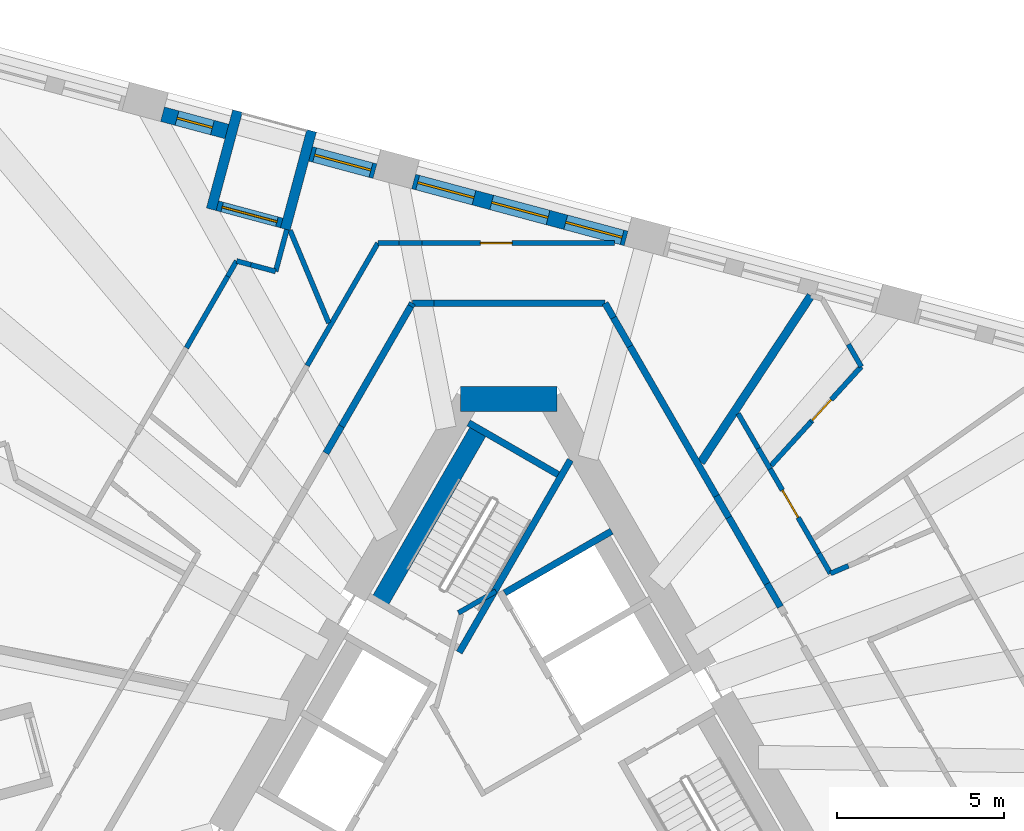
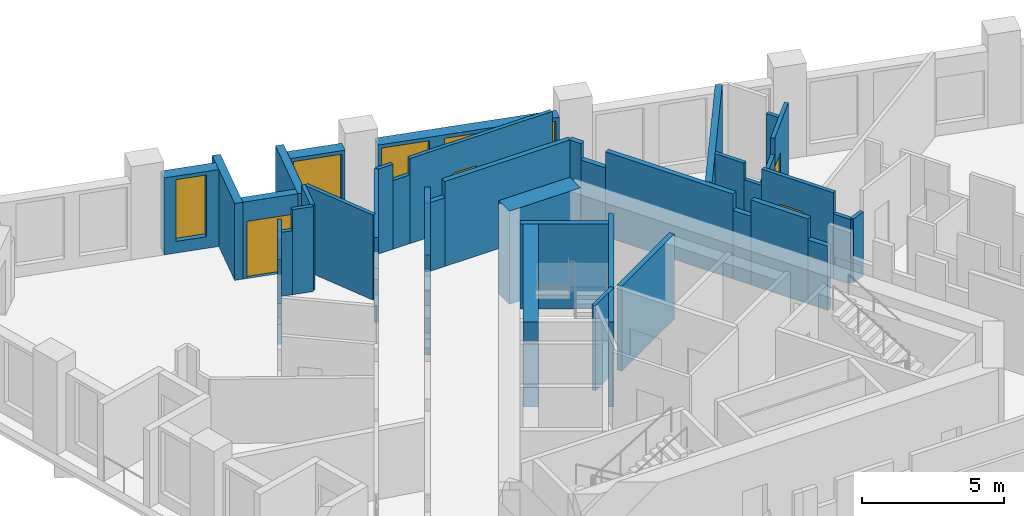
# One storey, part 7 of 13: 42 walls, 5 windows, 4 doors, 9 openings.
"""IFC4 building model written with IfcOpenShell, lengths in metres."""

from ifc_helpers import new_model, si_unit, direction, frame, frame_2d, origin, place, context, subcontext, project, spatial, rectangle, extrude, material, layer, layer_set, type_object, element, fill, save


model = new_model("IFC4")

# Units and contexts
model_context = context("Model", 3, precision=1e-05, world=origin(), true_north=direction((0.0, 1.0)))
body_context = subcontext(model_context, "Body", "Model", "MODEL_VIEW")
ifc_project = project(units=[si_unit("LENGTHUNIT", "METRE"), si_unit("AREAUNIT", "SQUARE_METRE"), si_unit("VOLUMEUNIT", "CUBIC_METRE"), si_unit("PLANEANGLEUNIT", "RADIAN"), si_unit("MASSUNIT", "GRAM", prefix="KILO")], contexts=[model_context])

# Site, building, storey
site_placement = place(None, origin())
site = spatial("IfcSite", under=ifc_project, at=site_placement, CompositionType="ELEMENT")
building_placement = place(site_placement, origin())
building = spatial("IfcBuilding", under=site, at=building_placement, Name="Tramontana Tower", CompositionType="ELEMENT")
storey_placement = place(building_placement, frame((0.0, 0.0, 228.0)))
storey = spatial("IfcBuildingStorey", under=building, at=storey_placement, Name="L53", CompositionType="ELEMENT", Elevation=228.0)

# Walls
ifc_material_1 = material(Name="Concrete 70 MPa", Category="concrete")
ifc_layer_1 = layer(ifc_material_1, 0.75)
ifc_layer_set_1 = layer_set([ifc_layer_1], Name="Core wall 750 70 MPa")
wall_type_1 = type_object("IfcWallType", Name="Core wall 750 70 MPa", PredefinedType="SHEAR", material=ifc_layer_set_1)
wall_1_placement = place(storey_placement, frame((1.443359375, 10.625, 0.0), z_axis=(0.0, 0.0, 1.0), x_axis=(-1.0, 0.0, 0.0)))
element("IfcWall", 1, at=wall_1_placement, inside=storey, type_object=wall_type_1, Name="Core wall C0 L53", PredefinedType="SHEAR", context=body_context, shape_type="SweptSolid", body=[
    extrude(rectangle(XDim=2.88671875, YDim=0.75, at=frame_2d((1.443359375, 0.0))), origin(), (0.0, 0.0, 1.0), 4.0),
])
ifc_material_2 = material(Name="Blockwork", Category="masonry")
ifc_layer_2 = layer(ifc_material_2, 0.199951171875)
ifc_layer_set_2 = layer_set([ifc_layer_2], Name="ENTRY WALL 200")
wall_type_2 = type_object("IfcWallType", Name="ENTRY WALL 200", PredefinedType="SOLIDWALL", material=ifc_layer_set_2)
wall_2_placement = place(storey_placement, frame((2.88671875, 13.5, 0.0), z_axis=(0.0, 0.0, 1.0), x_axis=(0.500002592159, -0.866023907196, 0.0)))
element("IfcWall", 2, at=wall_2_placement, inside=storey, type_object=wall_type_2, Name="Wall v52-ew0-0", PredefinedType="SOLIDWALL", context=body_context, shape_type="SweptSolid", body=[
    extrude(rectangle(XDim=0.5029296875, YDim=0.199951171875, at=frame_2d((0.25146484375, 0.0))), origin(), (0.0, 0.0, 1.0), 3.64990234375),
])
wall_3_placement = place(storey_placement, frame((3.13818359375, 13.064453125, 0.0), z_axis=(0.0, 0.0, 1.0), x_axis=(0.500063959222, -0.865988473761, 0.0)))
element("IfcWall", 3, at=wall_3_placement, inside=storey, type_object=wall_type_2, Name="Wall v52-ew0-1", PredefinedType="SOLIDWALL", context=body_context, shape_type="SweptSolid", body=[
    extrude(rectangle(XDim=0.989990234375, YDim=0.199951171875, at=frame_2d((0.4951171875, 0.0))), origin(), (0.0, 0.0, 1.0), 2.949951171875),
])
wall_4_placement = place(storey_placement, frame((3.63330078125, 12.20703125, 0.0), z_axis=(0.0, 0.0, 1.0), x_axis=(0.499990271856, -0.866031020258, 0.0)))
element("IfcWall", 4, at=wall_4_placement, inside=storey, type_object=wall_type_2, Name="Wall v52-ew0-2", PredefinedType="SOLIDWALL", context=body_context, shape_type="SweptSolid", body=[
    extrude(rectangle(XDim=5.181640625, YDim=0.199951171875, at=frame_2d((2.5908203125, 0.0))), origin(), (0.0, 0.0, 1.0), 3.64990234375),
])
wall_5_placement = place(storey_placement, frame((6.22412109375, 7.719482421875, 0.0), z_axis=(0.0, 0.0, 1.0), x_axis=(0.499931655587, -0.866064858854, 0.0)))
element("IfcWall", 5, at=wall_5_placement, inside=storey, type_object=wall_type_2, Name="Wall v52-ew0-3", PredefinedType="SOLIDWALL", context=body_context, shape_type="SweptSolid", body=[
    extrude(rectangle(XDim=0.74072265625, YDim=0.199951171875, at=frame_2d((0.370361328125, 0.0))), origin(), (0.0, 0.0, 1.0), 2.949951171875),
])
wall_6_placement = place(storey_placement, frame((6.594482421875, 7.077880859375, 0.0), z_axis=(0.0, 0.0, 1.0), x_axis=(0.500013761451, -0.866017458461, 0.0)))
element("IfcWall", 6, at=wall_6_placement, inside=storey, type_object=wall_type_2, Name="Wall v52-ew0-4", PredefinedType="SOLIDWALL", context=body_context, shape_type="SweptSolid", body=[
    extrude(rectangle(XDim=2.29736328125, YDim=0.199951171875, at=frame_2d((1.148681640625, 0.0))), origin(), (0.0, 0.0, 1.0), 3.64990234375),
])
wall_7_placement = place(storey_placement, frame((7.7431640625, 5.08837890625, 0.0), z_axis=(0.0, 0.0, 1.0), x_axis=(0.500109828528, -0.865961984968, 0.0)))
element("IfcWall", 7, at=wall_7_placement, inside=storey, type_object=wall_type_2, Name="Wall v52-ew0-5", PredefinedType="SOLIDWALL", context=body_context, shape_type="SweptSolid", body=[
    extrude(rectangle(XDim=0.800048828125, YDim=0.199951171875, at=frame_2d((0.39990234375, 0.0))), origin(), (0.0, 0.0, 1.0), 2.75),
])
wall_8_placement = place(storey_placement, frame((-5.482666015625, 9.003662109375, 0.0), z_axis=(0.0, 0.0, 1.0), x_axis=(0.499971966783, 0.866041588165, 0.0)))
element("IfcWall", 8, at=wall_8_placement, inside=storey, type_object=wall_type_2, Name="Wall v52-ew4-11", PredefinedType="SOLIDWALL", context=body_context, shape_type="SweptSolid", body=[
    extrude(rectangle(XDim=0.931640625, YDim=0.199951171875, at=frame_2d((0.4658203125, 0.0))), origin(), (0.0, 0.0, 1.0), 2.75),
])
wall_9_placement = place(storey_placement, frame((-5.016845703125, 9.810546875, 0.0), z_axis=(0.0, 0.0, 1.0), x_axis=(0.499993700073, 0.866029041019, 0.0)))
element("IfcWall", 9, at=wall_9_placement, inside=storey, type_object=wall_type_2, Name="Wall v52-ew4-12", PredefinedType="SOLIDWALL", context=body_context, shape_type="SweptSolid", body=[
    extrude(rectangle(XDim=4.1552734375, YDim=0.199951171875, at=frame_2d((2.07763671875, 0.0))), origin(), (0.0, 0.0, 1.0), 3.64990234375),
])
wall_10_placement = place(storey_placement, frame((-2.939208984375, 13.4091796875, 0.0), z_axis=(0.0, 0.0, 1.0), x_axis=(0.500393920955, 0.865797853931, 0.0)))
element("IfcWall", 10, at=wall_10_placement, inside=storey, type_object=wall_type_2, Name="Wall v52-ew4-13", PredefinedType="SOLIDWALL", context=body_context, shape_type="SweptSolid", body=[
    extrude(rectangle(XDim=0.10498046875, YDim=0.199951171875, at=frame_2d((0.052490234375, 0.0))), origin(), (0.0, 0.0, 1.0), 2.949951171875),
])
wall_11_placement = place(storey_placement, frame((-2.88671875, 13.5, 0.0), z_axis=(0.0, 0.0, 1.0), x_axis=(1.0, 0.0, 0.0)))
element("IfcWall", 11, at=wall_11_placement, inside=storey, type_object=wall_type_2, Name="Wall v52-ew5-0", PredefinedType="SOLIDWALL", context=body_context, shape_type="SweptSolid", body=[
    extrude(rectangle(XDim=0.642822265625, YDim=0.199951171875, at=frame_2d((0.3212890625, 0.0))), origin(), (0.0, 0.0, 1.0), 2.949951171875),
])
wall_12_placement = place(storey_placement, frame((-2.243896484375, 13.5, 0.0), z_axis=(0.0, 0.0, 1.0), x_axis=(1.0, 0.0, 0.0)))
element("IfcWall", 12, at=wall_12_placement, inside=storey, type_object=wall_type_2, Name="Wall v52-ew5-1", PredefinedType="SOLIDWALL", context=body_context, shape_type="SweptSolid", body=[
    extrude(rectangle(XDim=5.130615234375, YDim=0.199951171875, at=frame_2d((2.5654296875, 0.0))), origin(), (0.0, 0.0, 1.0), 3.64990234375),
])

# Wall, openings, windows
ifc_material_3 = material(Name="Precast concrete 60 MPa", Category="concrete")
ifc_layer_3 = layer(ifc_material_3, 0.449951171875)
ifc_layer_set_3 = layer_set([ifc_layer_3], Name="Precast concrete 60 MPa, 450 mm")
wall_type_3 = type_object("IfcWallType", Name="EW1 Stone-faced precast wall 450", PredefinedType="SOLIDWALL", material=ifc_layer_set_3)
wall_13_placement = place(storey_placement, frame((3.516357421875, 15.441162109375, 0.0), z_axis=(0.0, 0.0, 1.0), x_axis=(-0.965933178973, 0.258791602952, 0.0)))
wall_13 = element("IfcWall", 13, at=wall_13_placement, inside=storey, type_object=wall_type_3, Name="External wall L53 face 2 bay 4", PredefinedType="SOLIDWALL", context=body_context, shape_type="SweptSolid", body=[
    extrude(rectangle(XDim=6.59423828125, YDim=0.449951171875, at=frame_2d((3.297119140625, 0.0))), origin(), (0.0, 0.0, 1.0), 3.300048828125),
])
opening_1_placement = place(wall_13_placement, frame((0.1240234375, 0.0, 0.5)))
opening_1 = element("IfcOpeningElement", 14, at=opening_1_placement, cuts=wall_13, Name="Opening M2", PredefinedType="OPENING", context=body_context, shape_type="SweptSolid", body=[
    extrude(rectangle(XDim=1.75, YDim=2.64990234375, at=frame_2d((0.875, 1.324951171875))), frame((0.0, 0.23486328125, 0.0), z_axis=(0.0, -1.0, 0.0), x_axis=(1.0, 0.0, 0.0)), (0.0, 0.0, 1.0), 0.469970703125),
])
opening_2_placement = place(wall_13_placement, frame((2.422119140625, 0.0, 0.5)))
opening_2 = element("IfcOpeningElement", 15, at=opening_2_placement, cuts=wall_13, Name="Opening M2", PredefinedType="OPENING", context=body_context, shape_type="SweptSolid", body=[
    extrude(rectangle(XDim=1.75, YDim=2.64990234375, at=frame_2d((0.875, 1.324951171875))), frame((0.0, 0.23486328125, 0.0), z_axis=(0.0, -1.0, 0.0), x_axis=(1.0, 0.0, 0.0)), (0.0, 0.0, 1.0), 0.469970703125),
])
opening_3_placement = place(wall_13_placement, frame((4.72021484375, 0.0, 0.5)))
opening_3 = element("IfcOpeningElement", 16, at=opening_3_placement, cuts=wall_13, Name="Opening M2", PredefinedType="OPENING", context=body_context, shape_type="SweptSolid", body=[
    extrude(rectangle(XDim=1.75, YDim=2.64990234375, at=frame_2d((0.875, 1.324951171875))), frame((0.0, 0.23486328125, 0.0), z_axis=(0.0, -1.0, 0.0), x_axis=(1.0, 0.0, 0.0)), (0.0, 0.0, 1.0), 0.469970703125),
])
ifc_material_4 = material(Name="Aluminum frame, double glazing unit", Category="aluminium")
window_type_1 = type_object("IfcWindowType", Name="M2 Window 1.75 x 2.65", PartitioningType="SINGLE_PANEL", PredefinedType="WINDOW", material=ifc_material_4)
window_1_placement = place(opening_1_placement, origin())
window_1 = element("IfcWindow", 17, at=window_1_placement, inside=storey, type_object=window_type_1, Name="Window M2 L53 face 2 module 10", OverallHeight=2.64990234375, OverallWidth=1.75, PartitioningType="SINGLE_PANEL", PredefinedType="WINDOW", context=body_context, shape_type="SweptSolid", body=[
    extrude(rectangle(XDim=1.75, YDim=2.64990234375, at=frame_2d((0.875, 1.324951171875))), frame((0.0, 0.030029296875, 0.0), z_axis=(0.0, -1.0, 0.0), x_axis=(1.0, 0.0, 0.0)), (0.0, 0.0, 1.0), 0.06005859375),
])
fill(opening_1, window_1)
window_2_placement = place(opening_2_placement, origin())
window_2 = element("IfcWindow", 18, at=window_2_placement, inside=storey, type_object=window_type_1, Name="Window M2 L53 face 2 module 11", OverallHeight=2.64990234375, OverallWidth=1.75, PartitioningType="SINGLE_PANEL", PredefinedType="WINDOW", context=body_context, shape_type="SweptSolid", body=[
    extrude(rectangle(XDim=1.75, YDim=2.64990234375, at=frame_2d((0.875, 1.324951171875))), frame((0.0, 0.030029296875, 0.0), z_axis=(0.0, -1.0, 0.0), x_axis=(1.0, 0.0, 0.0)), (0.0, 0.0, 1.0), 0.06005859375),
])
fill(opening_2, window_2)
window_3_placement = place(opening_3_placement, origin())
window_3 = element("IfcWindow", 19, at=window_3_placement, inside=storey, type_object=window_type_1, Name="Window M2 L53 face 2 module 12", OverallHeight=2.64990234375, OverallWidth=1.75, PartitioningType="SINGLE_PANEL", PredefinedType="WINDOW", context=body_context, shape_type="SweptSolid", body=[
    extrude(rectangle(XDim=1.75, YDim=2.64990234375, at=frame_2d((0.875, 1.324951171875))), frame((0.0, 0.030029296875, 0.0), z_axis=(0.0, -1.0, 0.0), x_axis=(1.0, 0.0, 0.0)), (0.0, 0.0, 1.0), 0.06005859375),
])
fill(opening_3, window_3)

# Wall, opening, window
wall_14_placement = place(storey_placement, frame((-4.012451171875, 17.458251953125, 0.0), z_axis=(0.0, 0.0, 1.0), x_axis=(-0.965899500874, 0.25891727291, 0.0)))
wall_14 = element("IfcWall", 20, at=wall_14_placement, inside=storey, type_object=wall_type_3, Name="External wall L53 face 2 bay 5", PredefinedType="SOLIDWALL", context=body_context, shape_type="SweptSolid", body=[
    extrude(rectangle(XDim=1.998046875, YDim=0.449951171875, at=frame_2d((0.9990234375, 0.0))), origin(), (0.0, 0.0, 1.0), 3.300048828125),
])
opening_4_placement = place(wall_14_placement, frame((0.1240234375, 0.0, 0.5)))
opening_4 = element("IfcOpeningElement", 21, at=opening_4_placement, cuts=wall_14, Name="Opening M2", PredefinedType="OPENING", context=body_context, shape_type="SweptSolid", body=[
    extrude(rectangle(XDim=1.75, YDim=2.64990234375, at=frame_2d((0.875, 1.324951171875))), frame((0.0, 0.23486328125, 0.0), z_axis=(0.0, -1.0, 0.0), x_axis=(1.0, 0.0, 0.0)), (0.0, 0.0, 1.0), 0.469970703125),
])
window_4_placement = place(opening_4_placement, origin())
window_4 = element("IfcWindow", 22, at=window_4_placement, inside=storey, type_object=window_type_1, Name="Window M2 L53 face 2 module 13", OverallHeight=2.64990234375, OverallWidth=1.75, PartitioningType="SINGLE_PANEL", PredefinedType="WINDOW", context=body_context, shape_type="SweptSolid", body=[
    extrude(rectangle(XDim=1.75, YDim=2.64990234375, at=frame_2d((0.875, 1.324951171875))), frame((0.0, 0.030029296875, 0.0), z_axis=(0.0, -1.0, 0.0), x_axis=(1.0, 0.0, 0.0)), (0.0, 0.0, 1.0), 0.06005859375),
])
fill(opening_4, window_4)

wall_15_placement = place(storey_placement, frame((-8.451904296875, 18.64794921875, 0.0), z_axis=(0.0, 0.0, 1.0), x_axis=(-0.96593005298, 0.258803270362, 0.0)))
wall_15 = element("IfcWall", 23, at=wall_15_placement, inside=storey, type_object=wall_type_3, Name="External wall L53 face 2 bay 5", PredefinedType="SOLIDWALL", context=body_context, shape_type="SweptSolid", body=[
    extrude(rectangle(XDim=1.998046875, YDim=0.449951171875, at=frame_2d((0.9990234375, 0.0))), origin(), (0.0, 0.0, 1.0), 3.300048828125),
])
opening_5_placement = place(wall_15_placement, frame((0.448974609375, 0.0, 0.5)))
opening_5 = element("IfcOpeningElement", 24, at=opening_5_placement, cuts=wall_15, Name="Opening N2", PredefinedType="OPENING", context=body_context, shape_type="SweptSolid", body=[
    extrude(rectangle(XDim=1.10009765625, YDim=2.64990234375, at=frame_2d((0.550048828125, 1.324951171875))), frame((0.0, 0.23486328125, 0.0), z_axis=(0.0, -1.0, 0.0), x_axis=(1.0, 0.0, 0.0)), (0.0, 0.0, 1.0), 0.469970703125),
])
ifc_material_5 = material(Name="Aluminum frame, double glazing unit", Category="aluminium")
window_type_2 = type_object("IfcWindowType", Name="N2 Window 1.1 x 2.65", PartitioningType="SINGLE_PANEL", PredefinedType="WINDOW", material=ifc_material_5)
window_5_placement = place(opening_5_placement, origin())
window_5 = element("IfcWindow", 25, at=window_5_placement, inside=storey, type_object=window_type_2, Name="Window N2 L53 face 2 module 15", OverallHeight=2.64990234375, OverallWidth=1.10009765625, PartitioningType="SINGLE_PANEL", PredefinedType="WINDOW", context=body_context, shape_type="SweptSolid", body=[
    extrude(rectangle(XDim=1.10009765625, YDim=2.64990234375, at=frame_2d((0.550048828125, 1.324951171875))), frame((0.0, 0.030029296875, 0.0), z_axis=(0.0, -1.0, 0.0), x_axis=(1.0, 0.0, 0.0)), (0.0, 0.0, 1.0), 0.06005859375),
])
fill(opening_5, window_5)

# Wall, opening, door
ifc_material_6 = material(Name="Precast concrete 60 MPa", Category="concrete")
ifc_layer_4 = layer(ifc_material_6, 0.300048828125)
ifc_layer_set_4 = layer_set([ifc_layer_4], Name="LW1 Stone-faced loggia wall 300")
wall_type_4 = type_object("IfcWallType", Name="LW1 Stone-faced loggia wall 300", PredefinedType="SOLIDWALL", material=ifc_layer_set_4)
wall_16_placement = place(storey_placement, frame((-6.80810546875, 15.904052734375, 0.0), z_axis=(0.0, 0.0, 1.0), x_axis=(-0.96593005298, 0.258803270362, 0.0)))
wall_16 = element("IfcWall", 26, at=wall_16_placement, inside=storey, type_object=wall_type_4, Name="Loggia wall L53 G5S2.13", PredefinedType="SOLIDWALL", context=body_context, shape_type="SweptSolid", body=[
    extrude(rectangle(XDim=1.998046875, YDim=0.300048828125, at=frame_2d((0.9990234375, 0.0))), origin(), (0.0, 0.0, 1.0), 3.300048828125),
])
opening_6_placement = place(wall_16_placement, frame((0.14892578125, 0.0, 0.0)))
opening_6 = element("IfcOpeningElement", 27, at=opening_6_placement, cuts=wall_16, Name="Opening BD-5S2-13", PredefinedType="OPENING", context=body_context, shape_type="SweptSolid", body=[
    extrude(rectangle(XDim=1.699951171875, YDim=2.449951171875, at=frame_2d((0.85009765625, 1.22509765625))), frame((0.0, 0.159912109375, 0.0), z_axis=(0.0, -1.0, 0.0), x_axis=(1.0, 0.0, 0.0)), (0.0, 0.0, 1.0), 0.320068359375),
])
ifc_material_7 = material(Name="Aluminum frame, double glazing unit", Category="aluminium")
door_type_1 = type_object("IfcDoorType", Name="BD2 Sliding door 1.7 x 2.45", OperationType="SLIDING_TO_LEFT", PredefinedType="DOOR", material=ifc_material_7)
door_1_placement = place(opening_6_placement, origin())
door_1 = element("IfcDoor", 28, at=door_1_placement, inside=storey, type_object=door_type_1, Name="Loggia door L53 G5S2.13", OperationType="SLIDING_TO_LEFT", OverallHeight=2.449951171875, OverallWidth=1.699951171875, PredefinedType="DOOR", context=body_context, shape_type="SweptSolid", body=[
    extrude(rectangle(XDim=1.699951171875, YDim=2.449951171875, at=frame_2d((0.85009765625, 1.22509765625))), frame((0.0, 0.02490234375, 0.0), z_axis=(0.0, -1.0, 0.0), x_axis=(1.0, 0.0, 0.0)), (0.0, 0.0, 1.0), 0.050048828125),
])
fill(opening_6, door_1)

# Walls
wall_17_placement = place(storey_placement, frame((-5.91259765625, 18.666259765625, 0.0), z_axis=(0.0, 0.0, 1.0), x_axis=(-0.258793435045, -0.965932688119, 0.0)))
element("IfcWall", 29, at=wall_17_placement, inside=storey, type_object=wall_type_4, Name="Loggia return L53 G5S2.13a", PredefinedType="SOLIDWALL", context=body_context, shape_type="SweptSolid", body=[
    extrude(rectangle(XDim=3.050048828125, YDim=0.300048828125, at=frame_2d((1.52490234375, 0.0))), origin(), (0.0, 0.0, 1.0), 3.300048828125),
])
wall_18_placement = place(storey_placement, frame((-8.13232421875, 19.26123046875, 0.0), z_axis=(0.0, 0.0, 1.0), x_axis=(-0.25877342651, -0.9659380486, 0.0)))
element("IfcWall", 30, at=wall_18_placement, inside=storey, type_object=wall_type_4, Name="Loggia return L53 G5S2.13b", PredefinedType="SOLIDWALL", context=body_context, shape_type="SweptSolid", body=[
    extrude(rectangle(XDim=3.05029296875, YDim=0.300048828125, at=frame_2d((1.525146484375, 0.0))), origin(), (0.0, 0.0, 1.0), 3.300048828125),
])
ifc_material_8 = material(Name="Gypsum board partition")
ifc_layer_5 = layer(ifc_material_8, 0.14990234375)
ifc_layer_set_5 = layer_set([ifc_layer_5], Name="PARTITION 150")
wall_type_5 = type_object("IfcWallType", Name="PARTITION 150", PredefinedType="PARTITIONING", material=ifc_layer_set_5)
wall_19_placement = place(storey_placement, frame((-1.509765625, 4.21484375, 0.0), z_axis=(0.0, 0.0, 1.0), x_axis=(0.866085525409, 0.49989585183, 0.0)))
element("IfcWall", 31, at=wall_19_placement, inside=storey, type_object=wall_type_5, Name="Wall ff-end1", PredefinedType="PARTITIONING", context=body_context, shape_type="SweptSolid", body=[
    extrude(rectangle(XDim=1.300048828125, YDim=0.14990234375, at=frame_2d((0.64990234375, 0.0))), origin(), (0.0, 0.0, 1.0), 3.64990234375),
])
wall_20_placement = place(storey_placement, frame((-9.664306640625, 12.16064453125, 0.0), z_axis=(0.0, 0.0, 1.0), x_axis=(0.499978546328, 0.866037789714, 0.0)))
element("IfcWall", 32, at=wall_20_placement, inside=storey, type_object=wall_type_5, Name="Wall v52-pw04-5", PredefinedType="PARTITIONING", context=body_context, shape_type="SweptSolid", body=[
    extrude(rectangle(XDim=2.4755859375, YDim=0.14990234375, at=frame_2d((1.23779296875, 0.0))), origin(), (0.0, 0.0, 1.0), 3.64990234375),
])
wall_21_placement = place(storey_placement, frame((-8.426513671875, 14.3046875, 0.0), z_axis=(0.0, 0.0, 1.0), x_axis=(0.499695946567, 0.866200877964, 0.0)))
element("IfcWall", 33, at=wall_21_placement, inside=storey, type_object=wall_type_5, Name="Wall v52-pw04-6", PredefinedType="PARTITIONING", context=body_context, shape_type="SweptSolid", body=[
    extrude(rectangle(XDim=0.531494140625, YDim=0.14990234375, at=frame_2d((0.265625, 0.0))), origin(), (0.0, 0.0, 1.0), 2.75),
])
wall_22_placement = place(storey_placement, frame((-8.16064453125, 14.76513671875, 0.0), z_axis=(0.0, 0.0, 1.0), x_axis=(0.965859623148, -0.259065992313, 0.0)))
element("IfcWall", 34, at=wall_22_placement, inside=storey, type_object=wall_type_5, Name="Wall v52-pw10-0", PredefinedType="PARTITIONING", context=body_context, shape_type="SweptSolid", body=[
    extrude(rectangle(XDim=0.44384765625, YDim=0.14990234375, at=frame_2d((0.221923828125, 0.0))), origin(), (0.0, 0.0, 1.0), 2.75),
])
wall_23_placement = place(storey_placement, frame((-7.73193359375, 14.650146484375, 0.0), z_axis=(0.0, 0.0, 1.0), x_axis=(0.965938094805, -0.258773254036, 0.0)))
element("IfcWall", 35, at=wall_23_placement, inside=storey, type_object=wall_type_5, Name="Wall v52-pw10-1", PredefinedType="PARTITIONING", context=body_context, shape_type="SweptSolid", body=[
    extrude(rectangle(XDim=0.76611328125, YDim=0.14990234375, at=frame_2d((0.383056640625, 0.0))), origin(), (0.0, 0.0, 1.0), 3.64990234375),
])
wall_24_placement = place(storey_placement, frame((-6.045654296875, 11.628662109375, 0.0), z_axis=(0.0, 0.0, 1.0), x_axis=(0.499991648869, 0.866030225258, 0.0)))
element("IfcWall", 36, at=wall_24_placement, inside=storey, type_object=wall_type_5, Name="Wall v52-pw11-4", PredefinedType="PARTITIONING", context=body_context, shape_type="SweptSolid", body=[
    extrude(rectangle(XDim=4.2392578125, YDim=0.14990234375, at=frame_2d((2.11962890625, 0.0))), origin(), (0.0, 0.0, 1.0), 3.64990234375),
])
wall_25_placement = place(storey_placement, frame((-6.989501953125, 14.453369140625, 0.0), z_axis=(0.0, 0.0, 1.0), x_axis=(0.258786222322, 0.965934620529, 0.0)))
element("IfcWall", 37, at=wall_25_placement, inside=storey, type_object=wall_type_5, Name="Wall v52-pw12", PredefinedType="PARTITIONING", context=body_context, shape_type="SweptSolid", body=[
    extrude(rectangle(XDim=1.298095703125, YDim=0.14990234375, at=frame_2d((0.64892578125, 0.0))), origin(), (0.0, 0.0, 1.0), 3.64990234375),
])
wall_26_placement = place(storey_placement, frame((-6.55712890625, 15.681396484375, 0.0), z_axis=(0.0, 0.0, 1.0), x_axis=(0.385818681899, -0.922574628254, 0.0)))
element("IfcWall", 38, at=wall_26_placement, inside=storey, type_object=wall_type_5, Name="Wall v52-pw13", PredefinedType="PARTITIONING", context=body_context, shape_type="SweptSolid", body=[
    extrude(rectangle(XDim=3.01025390625, YDim=0.14990234375, at=frame_2d((1.505126953125, 0.0))), origin(), (0.0, 0.0, 1.0), 3.64990234375),
])
wall_27_placement = place(storey_placement, frame((-3.926025390625, 15.300048828125, 0.0), z_axis=(0.0, 0.0, 1.0), x_axis=(1.0, 0.0, 0.0)))
element("IfcWall", 39, at=wall_27_placement, inside=storey, type_object=wall_type_5, Name="Wall v52-pw14-0", PredefinedType="PARTITIONING", context=body_context, shape_type="SweptSolid", body=[
    extrude(rectangle(XDim=0.635498046875, YDim=0.14990234375, at=frame_2d((0.31787109375, 0.0))), origin(), (0.0, 0.0, 1.0), 3.64990234375),
])
wall_28_placement = place(storey_placement, frame((-3.29052734375, 15.300048828125, 0.0), z_axis=(0.0, 0.0, 1.0), x_axis=(1.0, 0.0, 0.0)))
element("IfcWall", 40, at=wall_28_placement, inside=storey, type_object=wall_type_5, Name="Wall v52-pw14-1", PredefinedType="PARTITIONING", context=body_context, shape_type="SweptSolid", body=[
    extrude(rectangle(XDim=0.687255859375, YDim=0.14990234375, at=frame_2d((0.34375, 0.0))), origin(), (0.0, 0.0, 1.0), 2.949951171875),
])

# Wall, opening, door
wall_29_placement = place(storey_placement, frame((3.17333984375, 15.300048828125, 0.0), z_axis=(0.0, 0.0, 1.0), x_axis=(-1.0, 0.0, 0.0)))
wall_29 = element("IfcWall", 41, at=wall_29_placement, inside=storey, type_object=wall_type_5, Name="Wall v52-pw14-2", PredefinedType="PARTITIONING", context=body_context, shape_type="SweptSolid", body=[
    extrude(rectangle(XDim=5.776611328125, YDim=0.14990234375, at=frame_2d((2.88818359375, 0.0))), origin(), (0.0, 0.0, 1.0), 3.64990234375),
])
opening_7_placement = place(wall_29_placement, frame((3.07470703125, 0.0, 0.0)))
opening_7 = element("IfcOpeningElement", 42, at=opening_7_placement, cuts=wall_29, Name="Opening B5C-04", PredefinedType="OPENING", context=body_context, shape_type="SweptSolid", body=[
    extrude(rectangle(XDim=0.949951171875, YDim=2.39990234375, at=frame_2d((0.47509765625, 1.199951171875))), frame((0.0, 0.0849609375, 0.0), z_axis=(0.0, -1.0, 0.0), x_axis=(1.0, 0.0, 0.0)), (0.0, 0.0, 1.0), 0.169921875),
])
ifc_material_9 = material(Name="Painted timber", Category="wood")
door_type_2 = type_object("IfcDoorType", Name="DOOR ROOM 950", OperationType="SINGLE_SWING_LEFT", PredefinedType="DOOR", material=ifc_material_9)
door_2_placement = place(opening_7_placement, origin())
door_2 = element("IfcDoor", 43, at=door_2_placement, inside=storey, type_object=door_type_2, Name="Door B5C-04", OperationType="SINGLE_SWING_RIGHT", OverallHeight=2.39990234375, OverallWidth=0.949951171875, PredefinedType="DOOR", context=body_context, shape_type="SweptSolid", body=[
    extrude(rectangle(XDim=0.949951171875, YDim=2.39990234375, at=frame_2d((0.47509765625, 1.199951171875))), frame((0.0, 0.02490234375, 0.0), z_axis=(0.0, -1.0, 0.0), x_axis=(1.0, 0.0, 0.0)), (0.0, 0.0, 1.0), 0.050048828125),
])
fill(opening_7, door_2)

# Walls
wall_30_placement = place(storey_placement, frame((6.87548828125, 10.19140625, 0.0), z_axis=(0.0, 0.0, 1.0), x_axis=(0.499973805724, -0.866040526528, 0.0)))
element("IfcWall", 44, at=wall_30_placement, inside=storey, type_object=wall_type_5, Name="Wall v52-pw24-0", PredefinedType="PARTITIONING", context=body_context, shape_type="SweptSolid", body=[
    extrude(rectangle(XDim=1.205078125, YDim=0.14990234375, at=frame_2d((0.6025390625, 0.0))), origin(), (0.0, 0.0, 1.0), 3.64990234375),
])
wall_31_placement = place(storey_placement, frame((7.47802734375, 9.147705078125, 0.0), z_axis=(0.0, 0.0, 1.0), x_axis=(0.499998569178, -0.866026229868, 0.0)))
element("IfcWall", 45, at=wall_31_placement, inside=storey, type_object=wall_type_5, Name="Wall v52-pw24-1", PredefinedType="PARTITIONING", context=body_context, shape_type="SweptSolid", body=[
    extrude(rectangle(XDim=0.71435546875, YDim=0.14990234375, at=frame_2d((0.357177734375, 0.0))), origin(), (0.0, 0.0, 1.0), 2.949951171875),
])

# Wall, opening, door
wall_32_placement = place(storey_placement, frame((7.835205078125, 8.529052734375, 0.0), z_axis=(0.0, 0.0, 1.0), x_axis=(0.49998782916, -0.866032430508, 0.0)))
wall_32 = element("IfcWall", 46, at=wall_32_placement, inside=storey, type_object=wall_type_5, Name="Wall v52-pw24-2", PredefinedType="PARTITIONING", context=body_context, shape_type="SweptSolid", body=[
    extrude(rectangle(XDim=2.919921875, YDim=0.14990234375, at=frame_2d((1.4599609375, 0.0))), origin(), (0.0, 0.0, 1.0), 3.64990234375),
])
opening_8_placement = place(wall_32_placement, frame((0.73046875, 0.0, 0.0)))
opening_8 = element("IfcOpeningElement", 47, at=opening_8_placement, cuts=wall_32, Name="Opening B5C-15", PredefinedType="OPENING", context=body_context, shape_type="SweptSolid", body=[
    extrude(rectangle(XDim=0.949951171875, YDim=2.39990234375, at=frame_2d((0.47509765625, 1.199951171875))), frame((0.0, 0.0849609375, 0.0), z_axis=(0.0, -1.0, 0.0), x_axis=(1.0, 0.0, 0.0)), (0.0, 0.0, 1.0), 0.169921875),
])
door_3_placement = place(opening_8_placement, origin())
door_3 = element("IfcDoor", 48, at=door_3_placement, inside=storey, type_object=door_type_2, Name="Door B5C-15", OperationType="SINGLE_SWING_LEFT", OverallHeight=2.39990234375, OverallWidth=0.949951171875, PredefinedType="DOOR", context=body_context, shape_type="SweptSolid", body=[
    extrude(rectangle(XDim=0.949951171875, YDim=2.39990234375, at=frame_2d((0.47509765625, 1.199951171875))), frame((0.0, 0.02490234375, 0.0), z_axis=(0.0, -1.0, 0.0), x_axis=(1.0, 0.0, 0.0)), (0.0, 0.0, 1.0), 0.050048828125),
])
fill(opening_8, door_3)

# Walls
wall_33_placement = place(storey_placement, frame((9.295166015625, 6.000244140625, 0.0), z_axis=(0.0, 0.0, 1.0), x_axis=(0.499985493453, -0.866033778982, 0.0)))
element("IfcWall", 49, at=wall_33_placement, inside=storey, type_object=wall_type_5, Name="Wall v52-pw24-3", PredefinedType="PARTITIONING", context=body_context, shape_type="SweptSolid", body=[
    extrude(rectangle(XDim=0.6962890625, YDim=0.14990234375, at=frame_2d((0.34814453125, 0.0))), origin(), (0.0, 0.0, 1.0), 2.75),
])
wall_34_placement = place(storey_placement, frame((10.180419921875, 12.26708984375, 0.0), z_axis=(0.0, 0.0, 1.0), x_axis=(0.499804398801, -0.866138304741, 0.0)))
element("IfcWall", 50, at=wall_34_placement, inside=storey, type_object=wall_type_5, Name="Wall v52-pw28-1", PredefinedType="PARTITIONING", context=body_context, shape_type="SweptSolid", body=[
    extrude(rectangle(XDim=0.773681640625, YDim=0.14990234375, at=frame_2d((0.38671875, 0.0))), origin(), (0.0, 0.0, 1.0), 2.949951171875),
])
wall_35_placement = place(storey_placement, frame((9.645751953125, 5.396484375, 0.0), z_axis=(0.0, 0.0, 1.0), x_axis=(0.918841074694, 0.394627773294, 0.0)))
element("IfcWall", 51, at=wall_35_placement, inside=storey, type_object=wall_type_5, Name="Wall v52-pw29-0", PredefinedType="PARTITIONING", context=body_context, shape_type="SweptSolid", body=[
    extrude(rectangle(XDim=0.582275390625, YDim=0.14990234375, at=frame_2d((0.291015625, 0.0))), origin(), (0.0, 0.0, 1.0), 2.75),
])

# Wall, opening, door
wall_36_placement = place(storey_placement, frame((9.060302734375, 9.943359375, 0.0), z_axis=(0.0, 0.0, 1.0), x_axis=(0.673552274043, 0.739139590423, 0.0)))
wall_36 = element("IfcWall", 52, at=wall_36_placement, inside=storey, type_object=wall_type_5, Name="Wall v52-pw30-0", PredefinedType="PARTITIONING", context=body_context, shape_type="SweptSolid", body=[
    extrude(rectangle(XDim=2.237060546875, YDim=0.14990234375, at=frame_2d((1.11865234375, 0.0))), origin(), (0.0, 0.0, 1.0), 3.64990234375),
])
opening_9_placement = place(wall_36_placement, frame((0.05517578125, 0.0, 0.0)))
opening_9 = element("IfcOpeningElement", 53, at=opening_9_placement, cuts=wall_36, Name="Opening B5C-16", PredefinedType="OPENING", context=body_context, shape_type="SweptSolid", body=[
    extrude(rectangle(XDim=0.85009765625, YDim=2.39990234375, at=frame_2d((0.425048828125, 1.199951171875))), frame((0.0, 0.0849609375, 0.0), z_axis=(0.0, -1.0, 0.0), x_axis=(1.0, 0.0, 0.0)), (0.0, 0.0, 1.0), 0.169921875),
])
ifc_material_10 = material(Name="Painted timber", Category="wood")
door_type_3 = type_object("IfcDoorType", Name="DOOR BATH 850", OperationType="SINGLE_SWING_LEFT", PredefinedType="DOOR", material=ifc_material_10)
door_4_placement = place(opening_9_placement, origin())
door_4 = element("IfcDoor", 54, at=door_4_placement, inside=storey, type_object=door_type_3, Name="Door B5C-16", OperationType="SINGLE_SWING_RIGHT", OverallHeight=2.39990234375, OverallWidth=0.85009765625, PredefinedType="DOOR", context=body_context, shape_type="SweptSolid", body=[
    extrude(rectangle(XDim=0.85009765625, YDim=2.39990234375, at=frame_2d((0.425048828125, 1.199951171875))), frame((0.0, 0.02490234375, 0.0), z_axis=(0.0, -1.0, 0.0), x_axis=(1.0, 0.0, 0.0)), (0.0, 0.0, 1.0), 0.050048828125),
])
fill(opening_9, door_4)

# Walls
wall_37_placement = place(storey_placement, frame((9.060302734375, 9.943359375, 0.0), z_axis=(0.0, 0.0, 1.0), x_axis=(-0.673506679072, -0.739181136966, 0.0)))
element("IfcWall", 55, at=wall_37_placement, inside=storey, type_object=wall_type_5, Name="Wall v52-pw30-1", PredefinedType="PARTITIONING", context=body_context, shape_type="SweptSolid", body=[
    extrude(rectangle(XDim=1.77685546875, YDim=0.14990234375, at=frame_2d((0.888427734375, 0.0))), origin(), (0.0, 0.0, 1.0), 2.949951171875),
])
ifc_material_11 = material(Name="Blockwork", Category="masonry")
ifc_layer_6 = layer(ifc_material_11, 0.25)
ifc_layer_set_6 = layer_set([ifc_layer_6], Name="PARTY WALL 250")
wall_type_6 = type_object("IfcWallType", Name="PARTY WALL 250", PredefinedType="SOLIDWALL", material=ifc_layer_set_6)
wall_38_placement = place(storey_placement, frame((9.056640625, 13.7236328125, 0.0), z_axis=(0.0, 0.0, 1.0), x_axis=(-0.550808125882, -0.834631899979, 0.0)))
element("IfcWall", 56, at=wall_38_placement, inside=storey, type_object=wall_type_6, Name="Wall v52-pw25", PredefinedType="SOLIDWALL", context=body_context, shape_type="SweptSolid", body=[
    extrude(rectangle(XDim=5.98779296875, YDim=0.25, at=frame_2d((2.993896484375, 0.0))), origin(), (0.0, 0.0, 1.0), 3.64990234375),
])
ifc_material_12 = material(Name="Concrete 70 MPa", Category="concrete")
ifc_layer_7 = layer(ifc_material_12, 0.550048828125)
ifc_layer_set_7 = layer_set([ifc_layer_7], Name="Concrete 70 MPa, 550 mm")
wall_type_7 = type_object("IfcWallType", Name="RC SHAFT BACK WALL 550", PredefinedType="SOLIDWALL", material=ifc_layer_set_7)
wall_39_placement = place(storey_placement, frame((-0.831298828125, 9.81005859375, 0.0), z_axis=(0.0, 0.0, 1.0), x_axis=(-0.500009909098, -0.866019682689, 0.0)))
element("IfcWall", 57, at=wall_39_placement, inside=storey, type_object=wall_type_7, Name="Wall st1-back", PredefinedType="SOLIDWALL", context=body_context, shape_type="SweptSolid", body=[
    extrude(rectangle(XDim=6.199951171875, YDim=0.550048828125, at=frame_2d((3.10009765625, 0.0))), origin(), (0.0, 0.0, 1.0), 3.64990234375),
])
ifc_material_13 = material(Name="Concrete 70 MPa", Category="concrete")
ifc_layer_8 = layer(ifc_material_13, 0.199951171875)
ifc_layer_set_8 = layer_set([ifc_layer_8], Name="Concrete 70 MPa, 200 mm")
wall_type_8 = type_object("IfcWallType", Name="RC STAIR AND SHAFT WALL 200", PredefinedType="SOLIDWALL", material=ifc_layer_set_8)
wall_40_placement = place(storey_placement, frame((1.847412109375, 8.800048828125, 0.0), z_axis=(0.0, 0.0, 1.0), x_axis=(-0.499980354584, -0.866036745774, 0.0)))
element("IfcWall", 58, at=wall_40_placement, inside=storey, type_object=wall_type_8, Name="Wall st1-front", PredefinedType="SOLIDWALL", context=body_context, shape_type="SweptSolid", body=[
    extrude(rectangle(XDim=6.664794921875, YDim=0.199951171875, at=frame_2d((3.33251953125, 0.0))), origin(), (0.0, 0.0, 1.0), 3.64990234375),
])
wall_41_placement = place(storey_placement, frame((1.478515625, 8.36083984375, 0.0), z_axis=(0.0, 0.0, 1.0), x_axis=(-0.86600983753, 0.500026960575, 0.0)))
element("IfcWall", 59, at=wall_41_placement, inside=storey, type_object=wall_type_8, Name="Wall st1-far", PredefinedType="SOLIDWALL", context=body_context, shape_type="SweptSolid", body=[
    extrude(rectangle(XDim=3.099853515625, YDim=0.199951171875, at=frame_2d((1.5498046875, 0.0))), origin(), (0.0, 0.0, 1.0), 3.64990234375),
])
wall_42_placement = place(storey_placement, frame((-0.123046875, 4.813232421875, 0.0), z_axis=(0.0, 0.0, 1.0), x_axis=(0.866000971088, 0.500042316284, 0.0)))
element("IfcWall", 60, at=wall_42_placement, inside=storey, type_object=wall_type_8, Name="Wall row2-side2", PredefinedType="SOLIDWALL", context=body_context, shape_type="SweptSolid", body=[
    extrude(rectangle(XDim=3.699951171875, YDim=0.199951171875, at=frame_2d((1.85009765625, 0.0))), origin(), (0.0, 0.0, 1.0), 3.64990234375),
])

save(model, "model.ifc")
